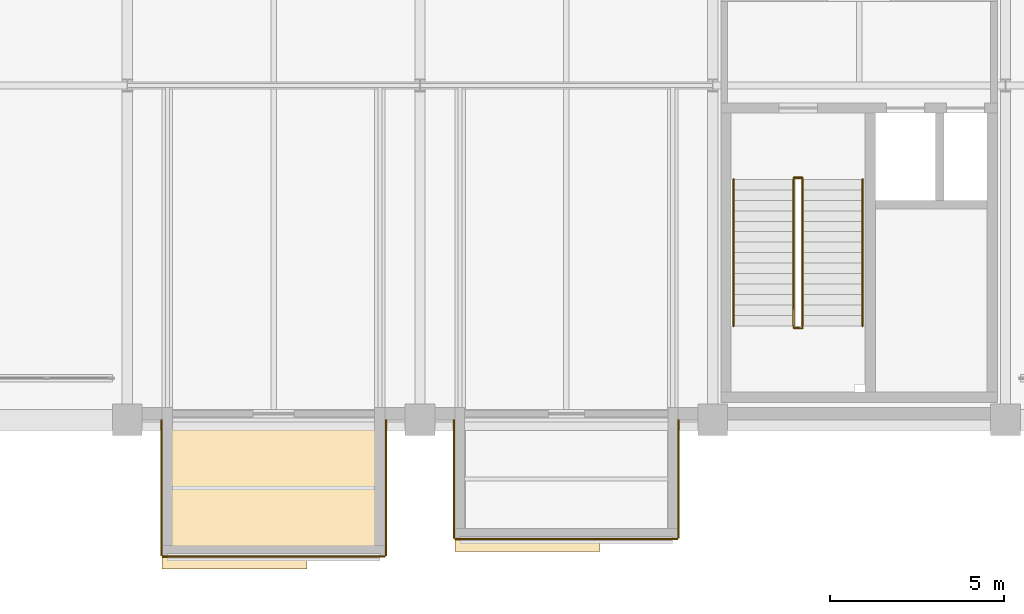
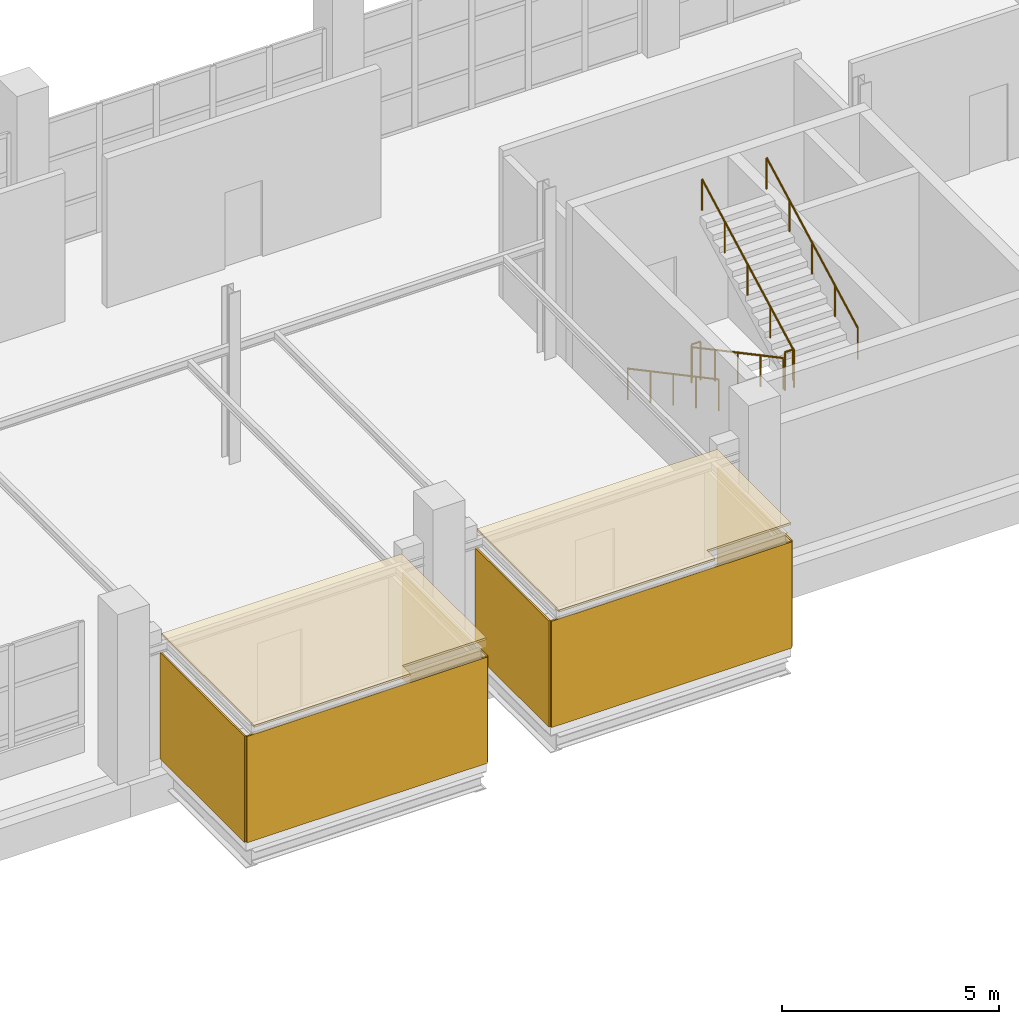
# One storey, part 28 of 29: 8 coverings, 6 railings.
"""IFC4 building model written with IfcOpenShell, lengths in metres."""

from ifc_helpers import new_model, si_unit, direction, frame, frame_2d, origin, origin_2d, place, context, subcontext, project, spatial, polyline, rectangle, circle, outline, extrude, material, layer, layer_set, type_object, element, save


model = new_model("IFC4")

# Units and contexts
model_context = context("Model", 3, precision=1e-05, world=origin(), true_north=direction((0.0, 1.0)))
body_context = subcontext(model_context, "Body", "Model", "MODEL_VIEW")
ifc_project = project(units=[si_unit("LENGTHUNIT", "METRE"), si_unit("AREAUNIT", "SQUARE_METRE"), si_unit("VOLUMEUNIT", "CUBIC_METRE"), si_unit("PLANEANGLEUNIT", "RADIAN"), si_unit("MASSUNIT", "GRAM", prefix="KILO")], contexts=[model_context])

# Site, building, storey
site_placement = place(None, origin())
site = spatial("IfcSite", under=ifc_project, at=site_placement, CompositionType="ELEMENT")
building_placement = place(site_placement, origin())
building = spatial("IfcBuilding", under=site, at=building_placement, Name="Veltarok Museum of Natural Sciences", CompositionType="ELEMENT")
storey_placement = place(building_placement, frame((0.0, 0.0, 26.39990234375)))
storey = spatial("IfcBuildingStorey", under=building, at=storey_placement, Name="L05", CompositionType="ELEMENT", Elevation=26.39990234375)

# Coverings
ifc_material_1 = material(Name="Corrugated zinc cladding")
ifc_layer_1 = layer(ifc_material_1, 0.044921875)
ifc_layer_set_1 = layer_set([ifc_layer_1], Name="Corrugated zinc cladding")
covering_type_1 = type_object("IfcCoveringType", Name="Corrugated Titanium-Zinc Rainscreen Cladding 45", PredefinedType="CLADDING", material=ifc_layer_set_1)
covering_1_placement = place(storey_placement, frame((74.60009765625, -3.922119140625, 0.0), z_axis=(0.0, 0.0, 1.0), x_axis=(1.0, 0.0, 0.0)))
element("IfcCovering", 1, at=covering_1_placement, inside=storey, type_object=covering_type_1, Name="Corrugated Zinc Cladding DB-28-S", PredefinedType="CLADDING", context=body_context, shape_type="SweptSolid", body=[
    extrude(rectangle(XDim=6.39990234375, YDim=0.044921875, at=frame_2d((3.199951171875, 0.0))), origin(), (0.0, 0.0, 1.0), 2.989990234375),
])
for number, where, z_axis, x_axis, name in (
    (2, (74.577880859375, 0.0, 0.0), (0.0, 0.0, 1.0), (0.0, -1.0, 0.0), "Corrugated Zinc Cladding DB-28-W"),
    (3, (81.02197265625, -3.89990234375, 0.0), (0.0, 0.0, 1.0), (0.0, 1.0, 0.0), "Corrugated Zinc Cladding DB-28-E"),
):
    element("IfcCovering", number, at=place(storey_placement, frame(where, z_axis=z_axis, x_axis=x_axis)), inside=storey, type_object=covering_type_1, Name=name, PredefinedType="CLADDING", context=body_context, shape_type="SweptSolid", body=[
        extrude(rectangle(XDim=3.89990234375, YDim=0.044921875, at=frame_2d((1.949951171875, 0.0))), origin(), (0.0, 0.0, 1.0), 2.989990234375),
    ])
covering_2_placement = place(storey_placement, frame((83.0, -3.422119140625, 0.0), z_axis=(0.0, 0.0, 1.0), x_axis=(1.0, 0.0, 0.0)))
element("IfcCovering", 4, at=covering_2_placement, inside=storey, type_object=covering_type_1, Name="Corrugated Zinc Cladding DB-29-S", PredefinedType="CLADDING", context=body_context, shape_type="SweptSolid", body=[
    extrude(rectangle(XDim=6.39990234375, YDim=0.044921875, at=frame_2d((3.199951171875, 0.0))), origin(), (0.0, 0.0, 1.0), 2.989990234375),
])
for number, where, z_axis, x_axis, name in (
    (5, (82.97802734375, 0.0, 0.0), (0.0, 0.0, 1.0), (0.0, -1.0, 0.0), "Corrugated Zinc Cladding DB-29-W"),
    (6, (89.422119140625, -3.39990234375, 0.0), (0.0, 0.0, 1.0), (0.0, 1.0, 0.0), "Corrugated Zinc Cladding DB-29-E"),
):
    element("IfcCovering", number, at=place(storey_placement, frame(where, z_axis=z_axis, x_axis=x_axis)), inside=storey, type_object=covering_type_1, Name=name, PredefinedType="CLADDING", context=body_context, shape_type="SweptSolid", body=[
        extrude(rectangle(XDim=3.39990234375, YDim=0.044921875, at=frame_2d((1.699951171875, 0.0))), origin(), (0.0, 0.0, 1.0), 2.989990234375),
    ])
ifc_material_2 = material(Name="EPDM waterproofing membrane")
ifc_layer_2 = layer(ifc_material_2, 0.06005859375)
ifc_layer_set_2 = layer_set([ifc_layer_2], Name="EPDM waterproofing membrane")
covering_type_2 = type_object("IfcCoveringType", Name="EPDM Waterproofing and Acoustic Roof Membrane 60", PredefinedType="ROOFING", material=ifc_layer_set_2)
covering_3_placement = place(storey_placement, frame((0.0, 0.0, 3.4501953125)))
element("IfcCovering", 7, at=covering_3_placement, inside=storey, type_object=covering_type_2, Name="Cabinet Box Roof Membrane DB-28", PredefinedType="ROOFING", context=body_context, shape_type="SweptSolid", body=[
    extrude(outline(polyline([(74.60009765625, -4.280029296875), (78.760009765625, -4.280029296875), (78.760009765625, -3.89990234375), (81.0, -3.89990234375), (81.0, 0.0), (74.60009765625, 0.0), (74.60009765625, -4.280029296875)])), origin(), (0.0, 0.0, 1.0), 0.059814453125),
])
covering_4_placement = place(storey_placement, frame((0.0, 0.0, 3.4501953125)))
element("IfcCovering", 8, at=covering_4_placement, inside=storey, type_object=covering_type_2, Name="Cabinet Box Roof Membrane DB-29", PredefinedType="ROOFING", context=body_context, shape_type="SweptSolid", body=[
    extrude(outline(polyline([(83.0, -3.780029296875), (87.159912109375, -3.780029296875), (87.159912109375, -3.39990234375), (89.39990234375, -3.39990234375), (89.39990234375, 0.0), (83.0, 0.0), (83.0, -3.780029296875)])), origin(), (0.0, 0.0, 1.0), 0.059814453125),
])

# Railings
ifc_material_3 = material(Name="Steel S355J2", Category="steel")
railing_type_1 = type_object("IfcRailingType", Name="Interior Atrium and Stairwell Guardrail 1100", PredefinedType="GUARDRAIL", material=ifc_material_3)
for number, where, name in (
    (9, (92.72998046875, 6.949951171875, 0.0), "Stairwell Floor Guard ST-02 L05"),
    (10, (92.72998046875, 2.639892578125, 2.400146484375), "Landing Well Guard ST-02-L05-L1"),
):
    element("IfcRailing", number, at=place(storey_placement, frame(where)), inside=storey, type_object=railing_type_1, Name=name, PredefinedType="GUARDRAIL", context=body_context, shape_type="SweptSolid", body=[
        extrude(circle(Radius=0.02392578125, at=origin_2d()), frame((0.0, 0.0, 1.076171875), z_axis=(1.0, 0.0, 0.0), x_axis=(0.0, 1.0, 0.0)), (0.0, 0.0, 1.0), 0.239990234375),
        extrude(circle(Radius=0.02099609375, at=origin_2d()), origin(), (0.0, 0.0, 1.0), 1.052001953125),
        extrude(circle(Radius=0.02099609375, at=origin_2d()), frame((0.239990234375, 0.0, 0.0)), (0.0, 0.0, 1.0), 1.052001953125),
    ])
railing_type_2 = type_object("IfcRailingType", Name="Stair Flight Tubular Steel Handrail 900", PredefinedType="HANDRAIL", material=ifc_material_3)
for number, where, name in (
    (11, (91.0, 6.89990234375, 0.16015625), "Stair Handrail ST-02-L05-F1L"),
    (12, (92.719970703125, 6.89990234375, 0.16015625), "Stair Handrail ST-02-L05-F1R"),
):
    element("IfcRailing", number, at=place(storey_placement, frame(where)), inside=storey, type_object=railing_type_2, Name=name, PredefinedType="HANDRAIL", context=body_context, shape_type="SweptSolid", body=[
        extrude(circle(Radius=0.02392578125, at=origin_2d()), frame((0.0, 0.0, 0.8759765625), z_axis=(0.0, -0.882351521365, 0.470590897432), x_axis=(1.0, 0.0, 0.0)), (0.0, 0.0, 1.0), 4.760009765625),
        extrude(circle(Radius=0.02099609375, at=origin_2d()), origin(), (0.0, 0.0, 1.0), 0.851806640625),
        extrude(circle(Radius=0.02099609375, at=origin_2d()), frame((0.0, -1.050048828125, 0.56005859375)), (0.0, 0.0, 1.0), 0.851806640625),
        extrude(circle(Radius=0.02099609375, at=origin_2d()), frame((0.0, -2.10009765625, 1.1201171875)), (0.0, 0.0, 1.0), 0.851806640625),
        extrude(circle(Radius=0.02099609375, at=origin_2d()), frame((0.0, -3.14990234375, 1.679931640625)), (0.0, 0.0, 1.0), 0.851806640625),
        extrude(circle(Radius=0.02099609375, at=origin_2d()), frame((0.0, -4.199951171875, 2.239990234375)), (0.0, 0.0, 1.0), 0.851806640625),
    ])
for number, where, name in (
    (13, (92.97998046875, 2.699951171875, 2.56005859375), "Stair Handrail ST-02-L05-F2L"),
    (14, (94.699951171875, 2.699951171875, 2.56005859375), "Stair Handrail ST-02-L05-F2R"),
):
    element("IfcRailing", number, at=place(storey_placement, frame(where)), inside=storey, type_object=railing_type_2, Name=name, PredefinedType="HANDRAIL", context=body_context, shape_type="SweptSolid", body=[
        extrude(circle(Radius=0.02392578125, at=origin_2d()), frame((0.0, 0.0, 0.8759765625), z_axis=(0.0, 0.882351521365, 0.470590897432), x_axis=(-1.0, 0.0, 0.0)), (0.0, 0.0, 1.0), 4.760009765625),
        extrude(circle(Radius=0.02099609375, at=origin_2d()), origin(), (0.0, 0.0, 1.0), 0.851806640625),
        extrude(circle(Radius=0.02099609375, at=origin_2d()), frame((0.0, 1.050048828125, 0.56005859375)), (0.0, 0.0, 1.0), 0.851806640625),
        extrude(circle(Radius=0.02099609375, at=origin_2d()), frame((0.0, 2.10009765625, 1.1201171875)), (0.0, 0.0, 1.0), 0.851806640625),
        extrude(circle(Radius=0.02099609375, at=origin_2d()), frame((0.0, 3.14990234375, 1.679931640625)), (0.0, 0.0, 1.0), 0.851806640625),
        extrude(circle(Radius=0.02099609375, at=origin_2d()), frame((0.0, 4.199951171875, 2.239990234375)), (0.0, 0.0, 1.0), 0.851806640625),
    ])

save(model, "model.ifc")
